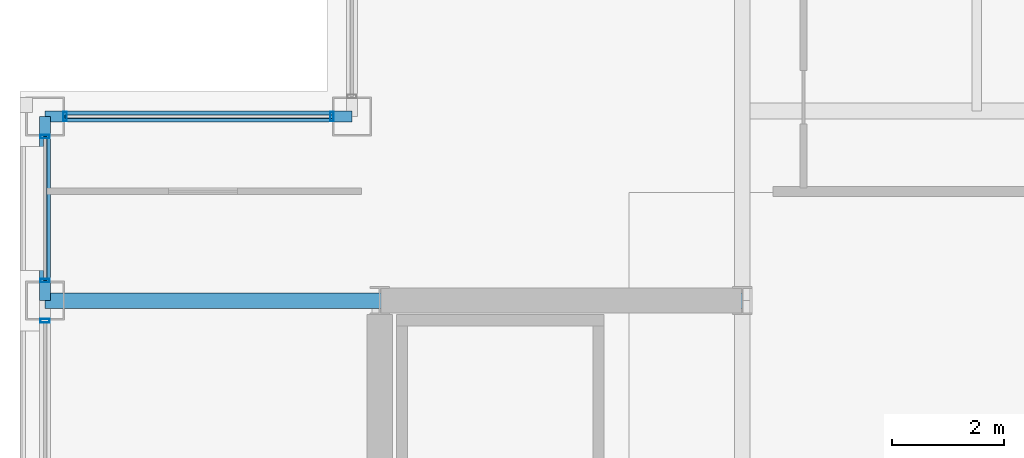
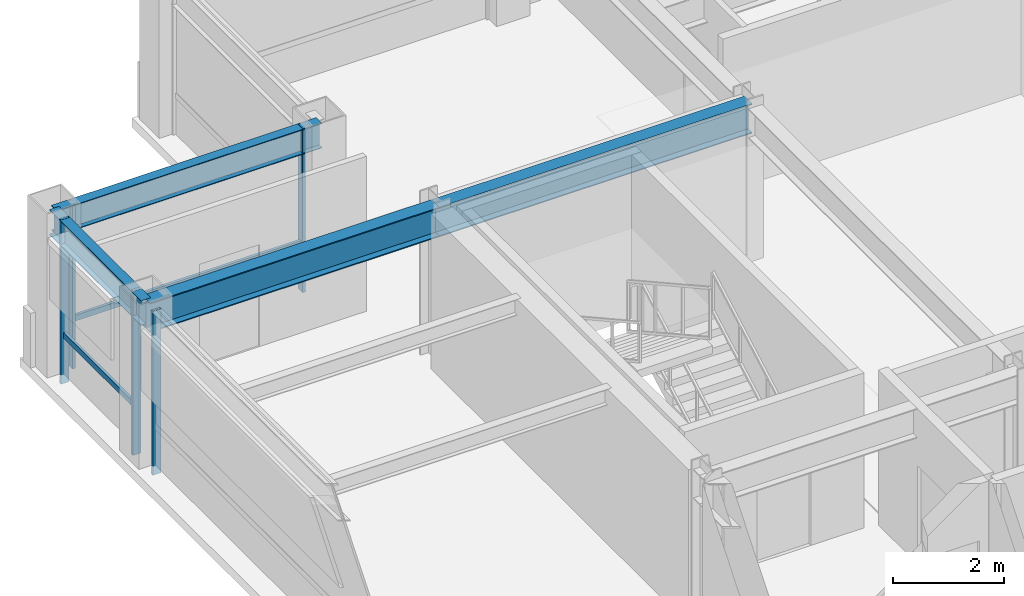
# One storey, part 10 of 26: 7 members, 4 beams, 3 elements without a shape of their own.
"""IFC4 building model written with IfcOpenShell, lengths in metres."""

from ifc_helpers import new_model, si_unit, direction, frame, origin, origin_2d, place, context, subcontext, project, spatial, hollow_rectangle, i_section, extrude, material, layer, layer_set, material_profile, profile_set, type_object, element, aggregate, save


model = new_model("IFC4")

# Units and contexts
model_context = context("Model", 3, precision=1e-05, world=origin(), true_north=direction((0.0, 1.0)))
body_context = subcontext(model_context, "Body", "Model", "MODEL_VIEW")
ifc_project = project(units=[si_unit("LENGTHUNIT", "METRE"), si_unit("AREAUNIT", "SQUARE_METRE"), si_unit("VOLUMEUNIT", "CUBIC_METRE"), si_unit("PLANEANGLEUNIT", "RADIAN"), si_unit("MASSUNIT", "GRAM", prefix="KILO")], contexts=[model_context])

# Site, building, storey
site_placement = place(None, origin())
site = spatial("IfcSite", under=ifc_project, at=site_placement, CompositionType="ELEMENT")
building_placement = place(site_placement, origin())
building = spatial("IfcBuilding", under=site, at=building_placement, Name="Brelmoor Portico Tower", CompositionType="ELEMENT")
storey_placement = place(building_placement, frame((0.0, 0.0, 205.5)))
storey = spatial("IfcBuildingStorey", under=building, at=storey_placement, Name="L54", CompositionType="ELEMENT", Elevation=205.5)

# Beams
ifc_material_1 = material(Name="Steel Q355B", Category="steel")
ifc_material_profile_1 = material_profile(ifc_material_1, i_section(OverallWidth=0.280029296875, OverallDepth=0.64990234375, WebThickness=0.012939453125, FlangeThickness=0.02197265625, at=origin_2d()), Name="HN 650x280x13x22")
ifc_profile_set_1 = profile_set([ifc_material_profile_1], Name="Steel Q355B")
beam_type_1 = type_object("IfcBeamType", Name="BM-PG-650", PredefinedType="BEAM", material=ifc_profile_set_1)
beam_1_placement = place(storey_placement, frame((-20.550048828125, 9.75, 3.074951171875), z_axis=(1.0, 0.0, 0.0), x_axis=(0.0, 1.0, 0.0)))
element("IfcBeam", 1, at=beam_1_placement, inside=storey, type_object=beam_type_1, Name="L54 Primary Floor Girder PG-17", PredefinedType="BEAM", context=body_context, shape_type="SweptSolid", body=[
    extrude(i_section(OverallWidth=0.280029296875, OverallDepth=0.64990234375, WebThickness=0.012939453125, FlangeThickness=0.02197265625, at=origin_2d()), origin(), (0.0, 0.0, 1.0), 6.0),
])
beam_2_placement = place(storey_placement, frame((-14.550048828125, 9.75, 3.074951171875), z_axis=(1.0, 0.0, 0.0), x_axis=(0.0, 1.0, 0.0)))
element("IfcBeam", 2, at=beam_2_placement, inside=storey, type_object=beam_type_1, Name="L54 Primary Floor Girder PG-18", PredefinedType="BEAM", context=body_context, shape_type="SweptSolid", body=[
    extrude(i_section(OverallWidth=0.280029296875, OverallDepth=0.64990234375, WebThickness=0.012939453125, FlangeThickness=0.02197265625, at=origin_2d()), origin(), (0.0, 0.0, 1.0), 6.5),
])
ifc_material_profile_2 = material_profile(ifc_material_1, i_section(OverallWidth=0.199951171875, OverallDepth=0.550048828125, WebThickness=0.010009765625, FlangeThickness=0.01611328125, at=origin_2d()), Name="HN 550x200x10x16")
ifc_profile_set_2 = profile_set([ifc_material_profile_2], Name="Steel Q355B")
beam_type_2 = type_object("IfcBeamType", Name="BM-SP-550", PredefinedType="SPANDREL", material=ifc_profile_set_2)
beam_3_placement = place(storey_placement, frame((-20.550048828125, 13.050048828125, 3.125), z_axis=(1.0, 0.0, 0.0), x_axis=(0.0, 1.0, 0.0)))
element("IfcBeam", 3, at=beam_3_placement, inside=storey, type_object=beam_type_2, Name="L54 Perimeter Spandrel Beam SP-06", PredefinedType="SPANDREL", context=body_context, shape_type="SweptSolid", body=[
    extrude(i_section(OverallWidth=0.199951171875, OverallDepth=0.550048828125, WebThickness=0.010009765625, FlangeThickness=0.01611328125, at=origin_2d()), origin(), (0.0, 0.0, 1.0), 5.5),
])
beam_4_placement = place(storey_placement, frame((-20.550048828125, 9.75, 3.125), z_axis=(0.0, 1.0, 0.0), x_axis=(-1.0, 0.0, 0.0)))
element("IfcBeam", 4, at=beam_4_placement, inside=storey, type_object=beam_type_2, Name="L54 Perimeter Spandrel Beam SP-13", PredefinedType="SPANDREL", context=body_context, shape_type="SweptSolid", body=[
    extrude(i_section(OverallWidth=0.199951171875, OverallDepth=0.550048828125, WebThickness=0.010009765625, FlangeThickness=0.01611328125, at=origin_2d()), origin(), (0.0, 0.0, 1.0), 3.300048828125),
])

# Curtain wall, member
ifc_material_2 = material(Name="Anodised Aluminium Alloy 6063-T6", Category="aluminium")
ifc_layer_1 = layer(ifc_material_2, 0.179931640625)
ifc_layer_set_1 = layer_set([ifc_layer_1], Name="Anodised Aluminium Alloy 6063-T6")
curtain_wall_type_1 = type_object("IfcCurtainWallType", Name="CW-TOWER-Z3", PredefinedType="NOTDEFINED", material=ifc_layer_set_1)
curtain_wall_1_placement = place(storey_placement, origin())
curtain_wall_1 = element("IfcCurtainWall", 5, at=curtain_wall_1_placement, inside=storey, type_object=curtain_wall_type_1, Name="L54 Curtain Wall CW-L54-03-2", PredefinedType="NOTDEFINED")
ifc_material_profile_3 = material_profile(ifc_material_2, hollow_rectangle(XDim=0.06494140625, YDim=0.1650390625, WallThickness=0.00390625, at=origin_2d()), Name="ALU MULLION 65x165")
ifc_profile_set_3 = profile_set([ifc_material_profile_3], Name="Anodised Aluminium Alloy 6063-T6")
member_type_1 = type_object("IfcMemberType", Name="MB-CW-MULL-165", PredefinedType="MULLION", material=ifc_profile_set_3)
member_1_placement = place(storey_placement, frame((-20.550048828125, 9.389892578125, -0.199951171875), z_axis=(0.0, 0.0, 1.0), x_axis=(0.0, 1.0, 0.0)))
member_1 = element("IfcMember", 6, at=member_1_placement, type_object=member_type_1, Name="CW-L54-03-2 Mullion 02", PredefinedType="MULLION", context=body_context, shape_type="SweptSolid", body=[
    extrude(hollow_rectangle(XDim=0.06494140625, YDim=0.1650390625, WallThickness=0.00390625, at=origin_2d()), origin(), (0.0, 0.0, 1.0), 3.599853515625),
])
aggregate(curtain_wall_1, [member_1])

# Curtain wall, members
curtain_wall_2_placement = place(storey_placement, origin())
curtain_wall_2 = element("IfcCurtainWall", 7, at=curtain_wall_2_placement, inside=storey, type_object=curtain_wall_type_1, Name="L54 Curtain Wall CW-L54-03-3", PredefinedType="NOTDEFINED")
member_2_placement = place(storey_placement, frame((-20.550048828125, 10.110107421875, -0.199951171875), z_axis=(0.0, 0.0, 1.0), x_axis=(0.0, 1.0, 0.0)))
member_2 = element("IfcMember", 8, at=member_2_placement, type_object=member_type_1, Name="CW-L54-03-3 Mullion 00", PredefinedType="MULLION", context=body_context, shape_type="SweptSolid", body=[
    extrude(hollow_rectangle(XDim=0.06494140625, YDim=0.1650390625, WallThickness=0.00390625, at=origin_2d()), origin(), (0.0, 0.0, 1.0), 3.599853515625),
])
member_3_placement = place(storey_placement, frame((-20.550048828125, 12.68994140625, -0.199951171875), z_axis=(0.0, 0.0, 1.0), x_axis=(0.0, 1.0, 0.0)))
member_3 = element("IfcMember", 9, at=member_3_placement, type_object=member_type_1, Name="CW-L54-03-3 Mullion 01", PredefinedType="MULLION", context=body_context, shape_type="SweptSolid", body=[
    extrude(hollow_rectangle(XDim=0.06494140625, YDim=0.1650390625, WallThickness=0.00390625, at=origin_2d()), origin(), (0.0, 0.0, 1.0), 3.599853515625),
])

ifc_layer_2 = layer(ifc_material_2, 0.179931640625)
ifc_layer_set_2 = layer_set([ifc_layer_2], Name="Anodised Aluminium Alloy 6063-T6")
curtain_wall_type_2 = type_object("IfcCurtainWallType", Name="CW-NOTCH-CHAMFER", PredefinedType="NOTDEFINED", material=ifc_layer_set_2)
curtain_wall_3_placement = place(storey_placement, origin())
curtain_wall_3 = element("IfcCurtainWall", 10, at=curtain_wall_3_placement, inside=storey, type_object=curtain_wall_type_2, Name="L54 Curtain Wall CWN-L54-NWH", PredefinedType="NOTDEFINED")
member_4_placement = place(storey_placement, frame((-20.18994140625, 13.050048828125, -0.199951171875), z_axis=(0.0, 0.0, 1.0), x_axis=(1.0, 0.0, 0.0)))
member_4 = element("IfcMember", 11, at=member_4_placement, type_object=member_type_1, Name="CWN-L54-NWH Mullion 00", PredefinedType="MULLION", context=body_context, shape_type="SweptSolid", body=[
    extrude(hollow_rectangle(XDim=0.06494140625, YDim=0.1650390625, WallThickness=0.00390625, at=origin_2d()), origin(), (0.0, 0.0, 1.0), 3.599853515625),
])
member_5_placement = place(storey_placement, frame((-15.409912109375, 13.050048828125, -0.199951171875), z_axis=(0.0, 0.0, 1.0), x_axis=(1.0, 0.0, 0.0)))
member_5 = element("IfcMember", 12, at=member_5_placement, type_object=member_type_1, Name="CWN-L54-NWH Mullion 01", PredefinedType="MULLION", context=body_context, shape_type="SweptSolid", body=[
    extrude(hollow_rectangle(XDim=0.06494140625, YDim=0.1650390625, WallThickness=0.00390625, at=origin_2d()), origin(), (0.0, 0.0, 1.0), 3.599853515625),
])

# Member
ifc_material_profile_4 = material_profile(ifc_material_2, hollow_rectangle(XDim=0.06005859375, YDim=0.125, WallThickness=0.00341796875, at=origin_2d()), Name="ALU TRANSOM 60x125")
ifc_profile_set_4 = profile_set([ifc_material_profile_4], Name="Anodised Aluminium Alloy 6063-T6")
member_type_2 = type_object("IfcMemberType", Name="MB-CW-TRAN-125", PredefinedType="USERDEFINED", material=ifc_profile_set_4)
member_6_placement = place(storey_placement, frame((-20.550048828125, 10.110107421875, 0.85009765625), z_axis=(0.0, 1.0, 0.0), x_axis=(-1.0, 0.0, 0.0)))
member_6 = element("IfcMember", 13, at=member_6_placement, type_object=member_type_2, Name="CW-L54-03-3 Transom 1-00", ObjectType="TRANSOM", PredefinedType="USERDEFINED", context=body_context, shape_type="SweptSolid", body=[
    extrude(hollow_rectangle(XDim=0.06005859375, YDim=0.125, WallThickness=0.00341796875, at=origin_2d()), origin(), (0.0, 0.0, 1.0), 2.579833984375),
])

aggregate(curtain_wall_2, [member_2, member_3, member_6])

member_7_placement = place(storey_placement, frame((-20.18994140625, 13.050048828125, 0.85009765625), z_axis=(1.0, 0.0, 0.0), x_axis=(0.0, 1.0, 0.0)))
member_7 = element("IfcMember", 14, at=member_7_placement, type_object=member_type_2, Name="CWN-L54-NWH Transom 1-00", ObjectType="TRANSOM", PredefinedType="USERDEFINED", context=body_context, shape_type="SweptSolid", body=[
    extrude(hollow_rectangle(XDim=0.06005859375, YDim=0.125, WallThickness=0.00341796875, at=origin_2d()), origin(), (0.0, 0.0, 1.0), 4.780029296875),
])

aggregate(curtain_wall_3, [member_4, member_5, member_7])

save(model, "model.ifc")
